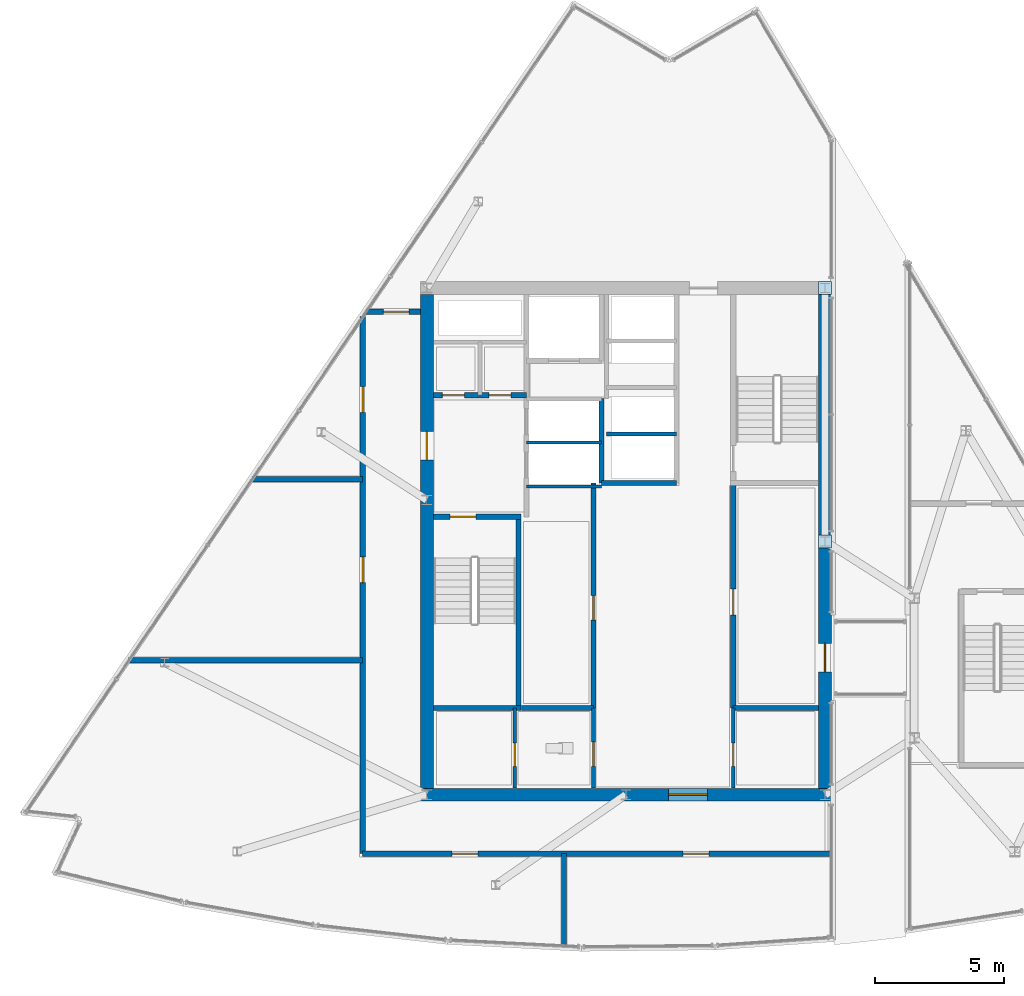
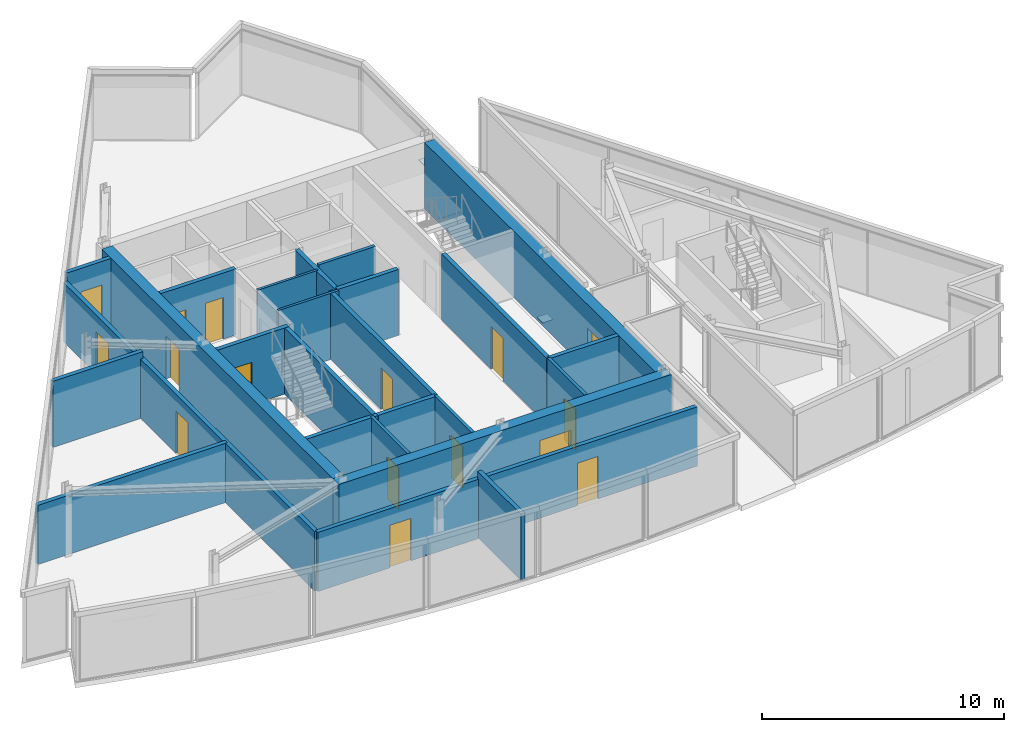
# One storey, part 9 of 15: 25 walls, 16 doors, 2 plates, 16 openings.
"""IFC4 building model written with IfcOpenShell, lengths in metres."""

from ifc_helpers import new_model, si_unit, direction, frame, frame_2d, origin, origin_2d, place, context, subcontext, project, spatial, rectangle, extrude, material, layer, layer_set, type_object, element, fill, save


model = new_model("IFC4")

# Units and contexts
model_context = context("Model", 3, precision=1e-05, world=origin(), true_north=direction((0.0, 1.0)))
body_context = subcontext(model_context, "Body", "Model", "MODEL_VIEW")
ifc_project = project(units=[si_unit("LENGTHUNIT", "METRE"), si_unit("AREAUNIT", "SQUARE_METRE"), si_unit("VOLUMEUNIT", "CUBIC_METRE"), si_unit("PLANEANGLEUNIT", "RADIAN"), si_unit("MASSUNIT", "GRAM", prefix="KILO")], contexts=[model_context])

# Site, building, storey
site_placement = place(None, origin())
site = spatial("IfcSite", under=ifc_project, at=site_placement, CompositionType="ELEMENT")
building_placement = place(site_placement, origin())
building = spatial("IfcBuilding", under=site, at=building_placement, Name="Savorim Split Tower", CompositionType="ELEMENT")
storey_placement = place(building_placement, frame((0.0, 0.0, 297.60009765625)))
storey = spatial("IfcBuildingStorey", under=building, at=storey_placement, Name="Crown L79 Plant", CompositionType="ELEMENT", Elevation=297.60009765625)

# Plates
ifc_material_1 = material(Name="Steel S460", Category="steel")
ifc_layer_1 = layer(ifc_material_1, 0.02490234375)
ifc_layer_set_1 = layer_set([ifc_layer_1], Name="PLT-NODE-CN1")
plate_type = type_object("IfcPlateType", Name="PLT-NODE-CN1", PredefinedType="SHEET", material=ifc_layer_set_1)
for number, where, z_axis, x_axis, name in (
    (1, (7.699951171875, 0.39990234375, 0.137451171875), (0.0, 0.0, 1.0), (1.0, 0.0, 0.0), "Crown L79 Plant Crown Spine Base Gusset Plate CN1"),
    (2, (7.699951171875, 10.199951171875, 2.137451171875), (0.0, 0.0, 1.0), (1.0, 0.0, 0.0), "Crown L79 Plant Crown Spine Top Gusset Plate CN2"),
):
    element("IfcPlate", number, at=place(storey_placement, frame(where, z_axis=z_axis, x_axis=x_axis)), inside=storey, type_object=plate_type, Name=name, PredefinedType="SHEET", context=body_context, shape_type="SweptSolid", body=[
        extrude(rectangle(XDim=0.5, YDim=0.5, at=origin_2d()), origin(), (0.0, 0.0, 1.0), 0.02490234375),
    ])

# Wall, opening, door
ifc_material_2 = material(Name="Concrete C60/75", Category="concrete")
ifc_layer_2 = layer(ifc_material_2, 0.5)
ifc_layer_set_2 = layer_set([ifc_layer_2], Name="WAL-COR-SH500")
wall_type_1 = type_object("IfcWallType", Name="WAL-COR-SH500", PredefinedType="SHEAR", material=ifc_layer_set_2)
wall_1_placement = place(storey_placement, frame((-7.949951171875, -9.39990234375, 0.0), z_axis=(0.0, 0.0, 1.0), x_axis=(1.0, 0.0, 0.0)))
wall_1 = element("IfcWall", 3, at=wall_1_placement, inside=storey, type_object=wall_type_1, Name="Crown L79 Plant Offset Core South Shear Wall", PredefinedType="SHEAR", context=body_context, shape_type="SweptSolid", body=[
    extrude(rectangle(XDim=15.89990234375, YDim=0.5, at=frame_2d((7.949951171875, 0.0))), origin(), (0.0, 0.0, 1.0), 3.33984375),
])
opening_1_placement = place(wall_1_placement, frame((9.60009765625, 0.0, 0.0)))
opening_1 = element("IfcOpeningElement", 4, at=opening_1_placement, cuts=wall_1, Name="Opening DI-02", PredefinedType="OPENING", context=body_context, shape_type="SweptSolid", body=[
    extrude(rectangle(XDim=1.5, YDim=2.199951171875, at=frame_2d((0.75, 1.10009765625))), frame((0.0, 0.260009765625, 0.0), z_axis=(0.0, -1.0, 0.0), x_axis=(1.0, 0.0, 0.0)), (0.0, 0.0, 1.0), 0.52001953125),
])
ifc_material_3 = material(Name="Timber Fire Door Leaf", Category="wood")
door_type_1 = type_object("IfcDoorType", Name="DOR-DBL-1500", OperationType="NOTDEFINED", PredefinedType="DOOR", material=ifc_material_3)
door_1_placement = place(opening_1_placement, origin())
door_1 = element("IfcDoor", 5, at=door_1_placement, inside=storey, type_object=door_type_1, Name="DOR-Crown-L79-Plant-COR-LLOB - Crown L79 Plant Lift Lobby Main Rated Door", OperationType="DOUBLE_DOOR_SINGLE_SWING", OverallHeight=2.199951171875, OverallWidth=1.5, PredefinedType="DOOR", context=body_context, shape_type="SweptSolid", body=[
    extrude(rectangle(XDim=1.5, YDim=2.199951171875, at=frame_2d((0.75, 1.10009765625))), frame((0.0, 0.02490234375, 0.0), z_axis=(0.0, -1.0, 0.0), x_axis=(1.0, 0.0, 0.0)), (0.0, 0.0, 1.0), 0.050048828125),
])
fill(opening_1, door_1)

wall_2_placement = place(storey_placement, frame((-7.699951171875, -9.14990234375, 0.0), z_axis=(0.0, 0.0, 1.0), x_axis=(0.0, 1.0, 0.0)))
wall_2 = element("IfcWall", 6, at=wall_2_placement, inside=storey, type_object=wall_type_1, Name="Crown L79 Plant Offset Core West Shear Wall", PredefinedType="SHEAR", context=body_context, shape_type="SweptSolid", body=[
    extrude(rectangle(XDim=19.099853515625, YDim=0.5, at=frame_2d((9.5498046875, 0.0))), origin(), (0.0, 0.0, 1.0), 3.33984375),
])
opening_2_placement = place(wall_2_placement, frame((12.699951171875, 0.0, 0.0)))
opening_2 = element("IfcOpeningElement", 7, at=opening_2_placement, cuts=wall_2, Name="Opening DI-03", PredefinedType="OPENING", context=body_context, shape_type="SweptSolid", body=[
    extrude(rectangle(XDim=1.10009765625, YDim=2.14990234375, at=frame_2d((0.550048828125, 1.074951171875))), frame((0.0, 0.260009765625, 0.0), z_axis=(0.0, -1.0, 0.0), x_axis=(1.0, 0.0, 0.0)), (0.0, 0.0, 1.0), 0.52001953125),
])
door_type_2 = type_object("IfcDoorType", Name="DOR-FIR-1100", OperationType="NOTDEFINED", PredefinedType="DOOR", material=ifc_material_3)
door_2_placement = place(opening_2_placement, origin())
door_2 = element("IfcDoor", 8, at=door_2_placement, inside=storey, type_object=door_type_2, Name="DOR-Crown-L79-Plant-COR-FFLOB - Crown L79 Plant Firefighting Lobby Corridor Door", OperationType="SINGLE_SWING_LEFT", OverallHeight=2.14990234375, OverallWidth=1.10009765625, PredefinedType="DOOR", context=body_context, shape_type="SweptSolid", body=[
    extrude(rectangle(XDim=1.10009765625, YDim=2.14990234375, at=frame_2d((0.550048828125, 1.074951171875))), frame((0.0, 0.02490234375, 0.0), z_axis=(0.0, -1.0, 0.0), x_axis=(1.0, 0.0, 0.0)), (0.0, 0.0, 1.0), 0.050048828125),
])
fill(opening_2, door_2)

wall_3_placement = place(storey_placement, frame((7.699951171875, 9.949951171875, 0.0), z_axis=(0.0, 0.0, 1.0), x_axis=(0.0, -1.0, 0.0)))
wall_3 = element("IfcWall", 9, at=wall_3_placement, inside=storey, type_object=wall_type_1, Name="Crown L79 Plant Offset Core East Shear Wall", PredefinedType="SHEAR", context=body_context, shape_type="SweptSolid", body=[
    extrude(rectangle(XDim=19.099853515625, YDim=0.5, at=frame_2d((9.5498046875, 0.0))), origin(), (0.0, 0.0, 1.0), 3.33984375),
])
opening_3_placement = place(wall_3_placement, frame((13.5, 0.0, 0.0)))
opening_3 = element("IfcOpeningElement", 10, at=opening_3_placement, cuts=wall_3, Name="Opening DI-03", PredefinedType="OPENING", context=body_context, shape_type="SweptSolid", body=[
    extrude(rectangle(XDim=1.10009765625, YDim=2.14990234375, at=frame_2d((0.550048828125, 1.074951171875))), frame((0.0, 0.260009765625, 0.0), z_axis=(0.0, -1.0, 0.0), x_axis=(1.0, 0.0, 0.0)), (0.0, 0.0, 1.0), 0.52001953125),
])
door_3_placement = place(opening_3_placement, origin())
door_3 = element("IfcDoor", 11, at=door_3_placement, inside=storey, type_object=door_type_2, Name="DOR-Crown-L79-Plant-BRLINK - Crown L79 Link Corridor Fire Door", OperationType="SINGLE_SWING_LEFT", OverallHeight=2.14990234375, OverallWidth=1.10009765625, PredefinedType="DOOR", context=body_context, shape_type="SweptSolid", body=[
    extrude(rectangle(XDim=1.10009765625, YDim=2.14990234375, at=frame_2d((0.550048828125, 1.074951171875))), frame((0.0, 0.02490234375, 0.0), z_axis=(0.0, -1.0, 0.0), x_axis=(1.0, 0.0, 0.0)), (0.0, 0.0, 1.0), 0.050048828125),
])
fill(opening_3, door_3)

ifc_material_4 = material(Name="Concrete C50/60", Category="concrete")
ifc_layer_3 = layer(ifc_material_4, 0.199951171875)
ifc_layer_set_3 = layer_set([ifc_layer_3], Name="WAL-INT-RC200")
wall_type_2 = type_object("IfcWallType", Name="WAL-INT-RC200", PredefinedType="SOLIDWALL", material=ifc_layer_set_3)
wall_4_placement = place(storey_placement, frame((-7.449951171875, 1.35009765625, 0.0), z_axis=(0.0, 0.0, 1.0), x_axis=(1.0, 0.0, 0.0)))
wall_4 = element("IfcWall", 12, at=wall_4_placement, inside=storey, type_object=wall_type_2, Name="Crown L79 Plant Structural Shaft Wall W-Crown-L79-Plant-CR01", PredefinedType="SOLIDWALL", context=body_context, shape_type="SweptSolid", body=[
    extrude(rectangle(XDim=3.39990234375, YDim=0.199951171875, at=frame_2d((1.699951171875, 0.0))), origin(), (0.0, 0.0, 1.0), 3.33984375),
])
opening_4_placement = place(wall_4_placement, frame((0.64990234375, 0.0, 0.0)))
opening_4 = element("IfcOpeningElement", 13, at=opening_4_placement, cuts=wall_4, Name="Opening DI-04", PredefinedType="OPENING", context=body_context, shape_type="SweptSolid", body=[
    extrude(rectangle(XDim=1.0, YDim=2.14990234375, at=frame_2d((0.5, 1.074951171875))), frame((0.0, 0.10986328125, 0.0), z_axis=(0.0, -1.0, 0.0), x_axis=(1.0, 0.0, 0.0)), (0.0, 0.0, 1.0), 0.219970703125),
])
door_type_3 = type_object("IfcDoorType", Name="DOR-FIR-1000", OperationType="NOTDEFINED", PredefinedType="DOOR", material=ifc_material_3)
door_4_placement = place(opening_4_placement, origin())
door_4 = element("IfcDoor", 14, at=door_4_placement, inside=storey, type_object=door_type_3, Name="DR-Crown-L79-Plant-ST1 - Crown L79 Plant Stair ST-1 Enclosure Door", OperationType="SINGLE_SWING_LEFT", OverallHeight=2.14990234375, OverallWidth=1.0, PredefinedType="DOOR", context=body_context, shape_type="SweptSolid", body=[
    extrude(rectangle(XDim=1.0, YDim=2.14990234375, at=frame_2d((0.5, 1.074951171875))), frame((0.0, 0.02490234375, 0.0), z_axis=(0.0, -1.0, 0.0), x_axis=(1.0, 0.0, 0.0)), (0.0, 0.0, 1.0), 0.050048828125),
])
fill(opening_4, door_4)

# Wall
wall_5_placement = place(storey_placement, frame((-4.14990234375, -5.949951171875, 0.0), z_axis=(0.0, 0.0, 1.0), x_axis=(0.0, 1.0, 0.0)))
element("IfcWall", 15, at=wall_5_placement, inside=storey, type_object=wall_type_2, Name="Crown L79 Plant Structural Shaft Wall W-Crown-L79-Plant-CR02", PredefinedType="SOLIDWALL", context=body_context, shape_type="SweptSolid", body=[
    extrude(rectangle(XDim=7.199951171875, YDim=0.199951171875, at=frame_2d((3.60009765625, 0.0))), origin(), (0.0, 0.0, 1.0), 3.33984375),
])

# Wall, openings, doors
wall_6_placement = place(storey_placement, frame((-7.445068359375, 6.050048828125, 0.0), z_axis=(0.0, 0.0, 1.0), x_axis=(1.0, 0.0, 0.0)))
wall_6 = element("IfcWall", 16, at=wall_6_placement, inside=storey, type_object=wall_type_2, Name="Crown L79 Plant Partition W-Crown-L79-Plant-CR04", PredefinedType="SOLIDWALL", context=body_context, shape_type="SweptSolid", body=[
    extrude(rectangle(XDim=3.594970703125, YDim=0.199951171875, at=frame_2d((1.79736328125, 0.0))), origin(), (0.0, 0.0, 1.0), 3.33984375),
])
opening_5_placement = place(wall_6_placement, frame((0.344970703125, 0.0, 0.0)))
opening_5 = element("IfcOpeningElement", 17, at=opening_5_placement, cuts=wall_6, Name="Opening DI-12", PredefinedType="OPENING", context=body_context, shape_type="SweptSolid", body=[
    extrude(rectangle(XDim=0.85009765625, YDim=2.10009765625, at=frame_2d((0.425048828125, 1.050048828125))), frame((0.0, 0.10986328125, 0.0), z_axis=(0.0, -1.0, 0.0), x_axis=(1.0, 0.0, 0.0)), (0.0, 0.0, 1.0), 0.219970703125),
])
opening_6_placement = place(wall_6_placement, frame((2.14501953125, 0.0, 0.0)))
opening_6 = element("IfcOpeningElement", 18, at=opening_6_placement, cuts=wall_6, Name="Opening DI-12", PredefinedType="OPENING", context=body_context, shape_type="SweptSolid", body=[
    extrude(rectangle(XDim=0.85009765625, YDim=2.10009765625, at=frame_2d((0.425048828125, 1.050048828125))), frame((0.0, 0.10986328125, 0.0), z_axis=(0.0, -1.0, 0.0), x_axis=(1.0, 0.0, 0.0)), (0.0, 0.0, 1.0), 0.219970703125),
])
ifc_material_5 = material(Name="Galvanised Painted Steel Balustrade", Category="steel")
door_type_4 = type_object("IfcDoorType", Name="DOR-RIS-850", OperationType="NOTDEFINED", PredefinedType="DOOR", material=ifc_material_5)
door_5_placement = place(opening_5_placement, origin())
door_5 = element("IfcDoor", 19, at=door_5_placement, inside=storey, type_object=door_type_4, Name="DR-Crown-L79-Plant-ELR - Crown L79 Plant Electrical Riser Access Door", OperationType="SINGLE_SWING_RIGHT", OverallHeight=2.10009765625, OverallWidth=0.85009765625, PredefinedType="DOOR", context=body_context, shape_type="SweptSolid", body=[
    extrude(rectangle(XDim=0.85009765625, YDim=2.10009765625, at=frame_2d((0.425048828125, 1.050048828125))), frame((0.0, 0.02490234375, 0.0), z_axis=(0.0, -1.0, 0.0), x_axis=(1.0, 0.0, 0.0)), (0.0, 0.0, 1.0), 0.050048828125),
])
fill(opening_5, door_5)
door_6_placement = place(opening_6_placement, origin())
door_6 = element("IfcDoor", 20, at=door_6_placement, inside=storey, type_object=door_type_4, Name="DR-Crown-L79-Plant-TLR - Crown L79 Plant Telecom Riser Access Door", OperationType="SINGLE_SWING_LEFT", OverallHeight=2.10009765625, OverallWidth=0.85009765625, PredefinedType="DOOR", context=body_context, shape_type="SweptSolid", body=[
    extrude(rectangle(XDim=0.85009765625, YDim=2.10009765625, at=frame_2d((0.425048828125, 1.050048828125))), frame((0.0, 0.02490234375, 0.0), z_axis=(0.0, -1.0, 0.0), x_axis=(1.0, 0.0, 0.0)), (0.0, 0.0, 1.0), 0.050048828125),
])
fill(opening_6, door_6)

# Wall
wall_7_placement = place(storey_placement, frame((-0.949951171875, 2.64990234375, 0.0), z_axis=(0.0, 0.0, 1.0), x_axis=(0.0, 1.0, 0.0)))
element("IfcWall", 21, at=wall_7_placement, inside=storey, type_object=wall_type_2, Name="Crown L79 Plant Partition W-Crown-L79-Plant-FFLW", PredefinedType="SOLIDWALL", context=body_context, shape_type="SweptSolid", body=[
    extrude(rectangle(XDim=3.27001953125, YDim=0.199951171875, at=frame_2d((1.635009765625, 0.0))), origin(), (0.0, 0.0, 1.0), 3.33984375),
])

# Wall, opening, door
wall_8_placement = place(storey_placement, frame((4.14990234375, -6.050048828125, 0.0), z_axis=(0.0, 0.0, 1.0), x_axis=(0.0, 1.0, 0.0)))
wall_8 = element("IfcWall", 22, at=wall_8_placement, inside=storey, type_object=wall_type_2, Name="Crown L79 Plant Partition W-Crown-L79-Plant-B1FRONT", PredefinedType="SOLIDWALL", context=body_context, shape_type="SweptSolid", body=[
    extrude(rectangle(XDim=8.699951171875, YDim=0.199951171875, at=frame_2d((4.35009765625, 0.0))), origin(), (0.0, 0.0, 1.0), 3.33984375),
])
opening_7_placement = place(wall_8_placement, frame((3.60009765625, 0.0, 0.0)))
opening_7 = element("IfcOpeningElement", 23, at=opening_7_placement, cuts=wall_8, Name="Opening DI-04", PredefinedType="OPENING", context=body_context, shape_type="SweptSolid", body=[
    extrude(rectangle(XDim=1.0, YDim=2.14990234375, at=frame_2d((0.5, 1.074951171875))), frame((0.0, 0.10986328125, 0.0), z_axis=(0.0, -1.0, 0.0), x_axis=(1.0, 0.0, 0.0)), (0.0, 0.0, 1.0), 0.219970703125),
])
door_7_placement = place(opening_7_placement, origin())
door_7 = element("IfcDoor", 24, at=door_7_placement, inside=storey, type_object=door_type_3, Name="DR-Crown-L79-Plant-B1SUB - Crown L79 Plant Crown Link Vestibule Door", OperationType="SINGLE_SWING_RIGHT", OverallHeight=2.14990234375, OverallWidth=1.0, PredefinedType="DOOR", context=body_context, shape_type="SweptSolid", body=[
    extrude(rectangle(XDim=1.0, YDim=2.14990234375, at=frame_2d((0.5, 1.074951171875))), frame((0.0, 0.02490234375, 0.0), z_axis=(0.0, -1.0, 0.0), x_axis=(1.0, 0.0, 0.0)), (0.0, 0.0, 1.0), 0.050048828125),
])
fill(opening_7, door_7)

wall_9_placement = place(storey_placement, frame((-1.25, -6.050048828125, 0.0), z_axis=(0.0, 0.0, 1.0), x_axis=(0.0, 1.0, 0.0)))
wall_9 = element("IfcWall", 25, at=wall_9_placement, inside=storey, type_object=wall_type_2, Name="Crown L79 Plant Partition W-Crown-L79-Plant-B2FRONT", PredefinedType="SOLIDWALL", context=body_context, shape_type="SweptSolid", body=[
    extrude(rectangle(XDim=8.699951171875, YDim=0.199951171875, at=frame_2d((4.35009765625, 0.0))), origin(), (0.0, 0.0, 1.0), 3.33984375),
])
opening_8_placement = place(wall_9_placement, frame((3.39990234375, 0.0, 0.0)))
opening_8 = element("IfcOpeningElement", 26, at=opening_8_placement, cuts=wall_9, Name="Opening DI-05", PredefinedType="OPENING", context=body_context, shape_type="SweptSolid", body=[
    extrude(rectangle(XDim=0.949951171875, YDim=2.10009765625, at=frame_2d((0.47509765625, 1.050048828125))), frame((0.0, 0.10986328125, 0.0), z_axis=(0.0, -1.0, 0.0), x_axis=(1.0, 0.0, 0.0)), (0.0, 0.0, 1.0), 0.219970703125),
])
door_type_5 = type_object("IfcDoorType", Name="DOR-FIR-950", OperationType="NOTDEFINED", PredefinedType="DOOR", material=ifc_material_3)
door_8_placement = place(opening_8_placement, origin())
door_8 = element("IfcDoor", 27, at=door_8_placement, inside=storey, type_object=door_type_5, Name="DR-Crown-L79-Plant-B2SUB - Crown L79 Plant Core Store West Door", OperationType="SINGLE_SWING_LEFT", OverallHeight=2.10009765625, OverallWidth=0.949951171875, PredefinedType="DOOR", context=body_context, shape_type="SweptSolid", body=[
    extrude(rectangle(XDim=0.949951171875, YDim=2.10009765625, at=frame_2d((0.47509765625, 1.050048828125))), frame((0.0, 0.02490234375, 0.0), z_axis=(0.0, -1.0, 0.0), x_axis=(1.0, 0.0, 0.0)), (0.0, 0.0, 1.0), 0.050048828125),
])
fill(opening_8, door_8)

# Walls
wall_10_placement = place(storey_placement, frame((-0.949951171875, 2.64990234375, 0.0), z_axis=(0.0, 0.0, 1.0), x_axis=(1.0, 0.0, 0.0)))
element("IfcWall", 28, at=wall_10_placement, inside=storey, type_object=wall_type_2, Name="Crown L79 Plant Partition W-Crown-L79-Plant-B3SOUTH", PredefinedType="SOLIDWALL", context=body_context, shape_type="SweptSolid", body=[
    extrude(rectangle(XDim=2.89990234375, YDim=0.199951171875, at=frame_2d((1.449951171875, 0.0))), origin(), (0.0, 0.0, 1.0), 3.33984375),
])
wall_11_placement = place(storey_placement, frame((-7.449951171875, -6.050048828125, 0.0), z_axis=(0.0, 0.0, 1.0), x_axis=(1.0, 0.0, 0.0)))
element("IfcWall", 29, at=wall_11_placement, inside=storey, type_object=wall_type_2, Name="Crown L79 Plant Structural Shaft Wall W-Crown-L79-Plant-KSEP-W", PredefinedType="SOLIDWALL", context=body_context, shape_type="SweptSolid", body=[
    extrude(rectangle(XDim=3.39990234375, YDim=0.199951171875, at=frame_2d((1.699951171875, 0.0))), origin(), (0.0, 0.0, 1.0), 3.33984375),
])
wall_12_placement = place(storey_placement, frame((-4.0400390625, -6.050048828125, 0.0), z_axis=(0.0, 0.0, 1.0), x_axis=(1.0, 0.0, 0.0)))
element("IfcWall", 30, at=wall_12_placement, inside=storey, type_object=wall_type_2, Name="Crown L79 Plant Partition W-Crown-L79-Plant-KSEP-W2", PredefinedType="SOLIDWALL", context=body_context, shape_type="SweptSolid", body=[
    extrude(rectangle(XDim=2.7900390625, YDim=0.199951171875, at=frame_2d((1.39501953125, 0.0))), origin(), (0.0, 0.0, 1.0), 3.33984375),
])
wall_13_placement = place(storey_placement, frame((4.14990234375, -6.050048828125, 0.0), z_axis=(0.0, 0.0, 1.0), x_axis=(1.0, 0.0, 0.0)))
element("IfcWall", 31, at=wall_13_placement, inside=storey, type_object=wall_type_2, Name="Crown L79 Plant Partition W-Crown-L79-Plant-KSEP-E", PredefinedType="SOLIDWALL", context=body_context, shape_type="SweptSolid", body=[
    extrude(rectangle(XDim=3.295166015625, YDim=0.199951171875, at=frame_2d((1.6474609375, 0.0))), origin(), (0.0, 0.0, 1.0), 3.33984375),
])

# Wall, openings, doors
wall_14_placement = place(storey_placement, frame((-10.179931640625, -11.679931640625, 0.0), z_axis=(0.0, 0.0, 1.0), x_axis=(0.0, 1.0, 0.0)))
wall_14 = element("IfcWall", 32, at=wall_14_placement, inside=storey, type_object=wall_type_2, Name="Crown L79 Plant Partition W-Crown-L79-Plant-CWPC1", PredefinedType="SOLIDWALL", context=body_context, shape_type="SweptSolid", body=[
    extrude(rectangle(XDim=20.780517578125, YDim=0.199951171875, at=frame_2d((10.39013671875, 0.0))), origin(), (0.0, 0.0, 1.0), 2.994873046875),
])
opening_9_placement = place(wall_14_placement, frame((10.47998046875, 0.0, 0.0)))
opening_9 = element("IfcOpeningElement", 33, at=opening_9_placement, cuts=wall_14, Name="Opening DI-04", PredefinedType="OPENING", context=body_context, shape_type="SweptSolid", body=[
    extrude(rectangle(XDim=1.0, YDim=2.14990234375, at=frame_2d((0.5, 1.074951171875))), frame((0.0, 0.10986328125, 0.0), z_axis=(0.0, -1.0, 0.0), x_axis=(1.0, 0.0, 0.0)), (0.0, 0.0, 1.0), 0.219970703125),
])
opening_10_placement = place(wall_14_placement, frame((17.06396484375, 0.0, 0.0)))
opening_10 = element("IfcOpeningElement", 34, at=opening_10_placement, cuts=wall_14, Name="Opening DI-04", PredefinedType="OPENING", context=body_context, shape_type="SweptSolid", body=[
    extrude(rectangle(XDim=1.0, YDim=2.14990234375, at=frame_2d((0.5, 1.074951171875))), frame((0.0, 0.10986328125, 0.0), z_axis=(0.0, -1.0, 0.0), x_axis=(1.0, 0.0, 0.0)), (0.0, 0.0, 1.0), 0.219970703125),
])
door_9_placement = place(opening_9_placement, origin())
door_9 = element("IfcDoor", 35, at=door_9_placement, inside=storey, type_object=door_type_3, Name="DR-Crown-L79-Plant-RM01 - Crown L79 Plant AHU Mechanical Plant Room Entry Door", OperationType="SINGLE_SWING_RIGHT", OverallHeight=2.14990234375, OverallWidth=1.0, PredefinedType="DOOR", context=body_context, shape_type="SweptSolid", body=[
    extrude(rectangle(XDim=1.0, YDim=2.14990234375, at=frame_2d((0.5, 1.074951171875))), frame((0.0, 0.02490234375, 0.0), z_axis=(0.0, -1.0, 0.0), x_axis=(1.0, 0.0, 0.0)), (0.0, 0.0, 1.0), 0.050048828125),
])
fill(opening_9, door_9)
door_10_placement = place(opening_10_placement, origin())
door_10 = element("IfcDoor", 36, at=door_10_placement, inside=storey, type_object=door_type_3, Name="DR-Crown-L79-Plant-RM05 - Crown L79 Plant Heat Recovery Plant Room Entry Door", OperationType="SINGLE_SWING_RIGHT", OverallHeight=2.14990234375, OverallWidth=1.0, PredefinedType="DOOR", context=body_context, shape_type="SweptSolid", body=[
    extrude(rectangle(XDim=1.0, YDim=2.14990234375, at=frame_2d((0.5, 1.074951171875))), frame((0.0, 0.02490234375, 0.0), z_axis=(0.0, -1.0, 0.0), x_axis=(1.0, 0.0, 0.0)), (0.0, 0.0, 1.0), 0.050048828125),
])
fill(opening_10, door_10)

wall_15_placement = place(storey_placement, frame((-10.179931640625, -11.679931640625, 0.0), z_axis=(0.0, 0.0, 1.0), x_axis=(1.0, 0.0, 0.0)))
wall_15 = element("IfcWall", 37, at=wall_15_placement, inside=storey, type_object=wall_type_2, Name="Crown L79 Plant Partition W-Crown-L79-Plant-CWPC2", PredefinedType="SOLIDWALL", context=body_context, shape_type="SweptSolid", body=[
    extrude(rectangle(XDim=18.1298828125, YDim=0.199951171875, at=frame_2d((9.06494140625, 0.0))), origin(), (0.0, 0.0, 1.0), 2.994873046875),
])
opening_11_placement = place(wall_15_placement, frame((3.456298828125, 0.0, 0.0)))
opening_11 = element("IfcOpeningElement", 38, at=opening_11_placement, cuts=wall_15, Name="Opening DI-04", PredefinedType="OPENING", context=body_context, shape_type="SweptSolid", body=[
    extrude(rectangle(XDim=1.0, YDim=2.14990234375, at=frame_2d((0.5, 1.074951171875))), frame((0.0, 0.10986328125, 0.0), z_axis=(0.0, -1.0, 0.0), x_axis=(1.0, 0.0, 0.0)), (0.0, 0.0, 1.0), 0.219970703125),
])
opening_12_placement = place(wall_15_placement, frame((12.388671875, 0.0, 0.0)))
opening_12 = element("IfcOpeningElement", 39, at=opening_12_placement, cuts=wall_15, Name="Opening DI-04", PredefinedType="OPENING", context=body_context, shape_type="SweptSolid", body=[
    extrude(rectangle(XDim=1.0, YDim=2.14990234375, at=frame_2d((0.5, 1.074951171875))), frame((0.0, 0.10986328125, 0.0), z_axis=(0.0, -1.0, 0.0), x_axis=(1.0, 0.0, 0.0)), (0.0, 0.0, 1.0), 0.219970703125),
])
door_11_placement = place(opening_11_placement, origin())
door_11 = element("IfcDoor", 40, at=door_11_placement, inside=storey, type_object=door_type_3, Name="DR-Crown-L79-Plant-RM02 - Crown L79 Plant Chiller Plant Room Entry Door", OperationType="SINGLE_SWING_LEFT", OverallHeight=2.14990234375, OverallWidth=1.0, PredefinedType="DOOR", context=body_context, shape_type="SweptSolid", body=[
    extrude(rectangle(XDim=1.0, YDim=2.14990234375, at=frame_2d((0.5, 1.074951171875))), frame((0.0, 0.02490234375, 0.0), z_axis=(0.0, -1.0, 0.0), x_axis=(1.0, 0.0, 0.0)), (0.0, 0.0, 1.0), 0.050048828125),
])
fill(opening_11, door_11)
door_12_placement = place(opening_12_placement, origin())
door_12 = element("IfcDoor", 41, at=door_12_placement, inside=storey, type_object=door_type_3, Name="DR-Crown-L79-Plant-RM03 - Crown L79 Plant Booster Pump Plant Room Entry Door", OperationType="SINGLE_SWING_RIGHT", OverallHeight=2.14990234375, OverallWidth=1.0, PredefinedType="DOOR", context=body_context, shape_type="SweptSolid", body=[
    extrude(rectangle(XDim=1.0, YDim=2.14990234375, at=frame_2d((0.5, 1.074951171875))), frame((0.0, 0.02490234375, 0.0), z_axis=(0.0, -1.0, 0.0), x_axis=(1.0, 0.0, 0.0)), (0.0, 0.0, 1.0), 0.050048828125),
])
fill(opening_12, door_12)

# Wall, opening, door
wall_16_placement = place(storey_placement, frame((-10.05810546875, 9.280029296875, 0.0), z_axis=(0.0, 0.0, 1.0), x_axis=(1.0, 0.0, 0.0)))
wall_16 = element("IfcWall", 42, at=wall_16_placement, inside=storey, type_object=wall_type_2, Name="Crown L79 Plant Partition W-Crown-L79-Plant-CWPC3", PredefinedType="SOLIDWALL", context=body_context, shape_type="SweptSolid", body=[
    extrude(rectangle(XDim=2.108154296875, YDim=0.199951171875, at=frame_2d((1.05419921875, 0.0))), origin(), (0.0, 0.0, 1.0), 3.33984375),
])
opening_13_placement = place(wall_16_placement, frame((0.678955078125, 0.0, 0.0)))
opening_13 = element("IfcOpeningElement", 43, at=opening_13_placement, cuts=wall_16, Name="Opening DI-04", PredefinedType="OPENING", context=body_context, shape_type="SweptSolid", body=[
    extrude(rectangle(XDim=1.0, YDim=2.14990234375, at=frame_2d((0.5, 1.074951171875))), frame((0.0, 0.10986328125, 0.0), z_axis=(0.0, -1.0, 0.0), x_axis=(1.0, 0.0, 0.0)), (0.0, 0.0, 1.0), 0.219970703125),
])
door_13_placement = place(opening_13_placement, origin())
door_13 = element("IfcDoor", 44, at=door_13_placement, inside=storey, type_object=door_type_3, Name="DR-Crown-L79-Plant-RM04 - Crown L79 Plant Smoke Extract Fan Plant Room Entry Door", OperationType="SINGLE_SWING_LEFT", OverallHeight=2.14990234375, OverallWidth=1.0, PredefinedType="DOOR", context=body_context, shape_type="SweptSolid", body=[
    extrude(rectangle(XDim=1.0, YDim=2.14990234375, at=frame_2d((0.5, 1.074951171875))), frame((0.0, 0.02490234375, 0.0), z_axis=(0.0, -1.0, 0.0), x_axis=(1.0, 0.0, 0.0)), (0.0, 0.0, 1.0), 0.050048828125),
])
fill(opening_13, door_13)

# Walls
wall_17_placement = place(storey_placement, frame((-19.22802734375, -4.199951171875, 0.0), z_axis=(0.0, 0.0, 1.0), x_axis=(1.0, 0.0, 0.0)))
element("IfcWall", 45, at=wall_17_placement, inside=storey, type_object=wall_type_2, Name="Crown L79 Plant Partition W-Crown-L79-Plant-CDIV1", PredefinedType="SOLIDWALL", context=body_context, shape_type="SweptSolid", body=[
    extrude(rectangle(XDim=9.048095703125, YDim=0.199951171875, at=frame_2d((4.52392578125, 0.0))), origin(), (0.0, 0.0, 1.0), 2.994873046875),
])
wall_18_placement = place(storey_placement, frame((-14.46630859375, 2.800048828125, 0.0), z_axis=(0.0, 0.0, 1.0), x_axis=(1.0, 0.0, 0.0)))
element("IfcWall", 46, at=wall_18_placement, inside=storey, type_object=wall_type_2, Name="Crown L79 Plant Partition W-Crown-L79-Plant-CDIV2", PredefinedType="SOLIDWALL", context=body_context, shape_type="SweptSolid", body=[
    extrude(rectangle(XDim=4.286376953125, YDim=0.199951171875, at=frame_2d((2.14306640625, 0.0))), origin(), (0.0, 0.0, 1.0), 3.33984375),
])
wall_19_placement = place(storey_placement, frame((-2.39990234375, -15.273681640625, 0.0), z_axis=(0.0, 0.0, 1.0), x_axis=(0.0, 1.0, 0.0)))
element("IfcWall", 47, at=wall_19_placement, inside=storey, type_object=wall_type_2, Name="Crown L79 Plant Partition W-Crown-L79-Plant-CDIVS", PredefinedType="SOLIDWALL", context=body_context, shape_type="SweptSolid", body=[
    extrude(rectangle(XDim=3.59375, YDim=0.199951171875, at=frame_2d((1.796875, 0.0))), origin(), (0.0, 0.0, 1.0), 3.33984375),
])
ifc_material_6 = material(Name="Acoustic Gypsum Partition Board")
ifc_layer_4 = layer(ifc_material_6, 0.1201171875)
ifc_layer_set_4 = layer_set([ifc_layer_4], Name="WAL-PAR-120")
wall_type_3 = type_object("IfcWallType", Name="WAL-PAR-120", PredefinedType="PARTITIONING", material=ifc_layer_set_4)
for number, where, z_axis, x_axis, name in (
    (48, (-3.85009765625, 2.52001953125, 0.0), (0.0, 0.0, 1.0), (1.0, 0.0, 0.0), "Crown L79 Plant Partition W-Crown-L79-Plant-FFLD0"),
    (49, (-3.85009765625, 4.219970703125, 0.0), (0.0, 0.0, 1.0), (1.0, 0.0, 0.0), "Crown L79 Plant Partition W-Crown-L79-Plant-FFLD1"),
):
    element("IfcWall", number, at=place(storey_placement, frame(where, z_axis=z_axis, x_axis=x_axis)), inside=storey, type_object=wall_type_3, Name=name, PredefinedType="PARTITIONING", context=body_context, shape_type="SweptSolid", body=[
        extrude(rectangle(XDim=2.900146484375, YDim=0.1201171875, at=frame_2d((1.4501953125, 0.0))), origin(), (0.0, 0.0, 1.0), 3.33984375),
    ])
ifc_layer_5 = layer(ifc_material_6, 0.14990234375)
ifc_layer_set_5 = layer_set([ifc_layer_5], Name="WAL-PAR-150")
wall_type_4 = type_object("IfcWallType", Name="WAL-PAR-150", PredefinedType="PARTITIONING", material=ifc_layer_set_5)
wall_20_placement = place(storey_placement, frame((-0.75, 4.550048828125, 0.0), z_axis=(0.0, 0.0, 1.0), x_axis=(1.0, 0.0, 0.0)))
element("IfcWall", 50, at=wall_20_placement, inside=storey, type_object=wall_type_4, Name="Crown L79 Plant Partition W-Crown-L79-Plant-B3DIV1", PredefinedType="PARTITIONING", context=body_context, shape_type="SweptSolid", body=[
    extrude(rectangle(XDim=2.699951171875, YDim=0.14990234375, at=frame_2d((1.35009765625, 0.0))), origin(), (0.0, 0.0, 1.0), 3.33984375),
])

# Wall, opening, door
wall_21_placement = place(storey_placement, frame((-1.25, -9.14501953125, 0.0), z_axis=(0.0, 0.0, 1.0), x_axis=(0.0, 1.0, 0.0)))
wall_21 = element("IfcWall", 51, at=wall_21_placement, inside=storey, type_object=wall_type_4, Name="Crown L79 Plant Partition W-Crown-L79-Plant-KLOB-W", PredefinedType="PARTITIONING", context=body_context, shape_type="SweptSolid", body=[
    extrude(rectangle(XDim=3.094970703125, YDim=0.14990234375, at=frame_2d((1.54736328125, 0.0))), origin(), (0.0, 0.0, 1.0), 3.33984375),
])
opening_14_placement = place(wall_21_placement, frame((0.844970703125, 0.0, 0.0)))
opening_14 = element("IfcOpeningElement", 52, at=opening_14_placement, cuts=wall_21, Name="Opening DI-10", PredefinedType="OPENING", context=body_context, shape_type="SweptSolid", body=[
    extrude(rectangle(XDim=0.949951171875, YDim=2.10009765625, at=frame_2d((0.47509765625, 1.050048828125))), frame((0.0, 0.0849609375, 0.0), z_axis=(0.0, -1.0, 0.0), x_axis=(1.0, 0.0, 0.0)), (0.0, 0.0, 1.0), 0.169921875),
])
ifc_material_7 = material(Name="Oak Veneer Acoustic Door")
door_type_6 = type_object("IfcDoorType", Name="DOR-WC-950", OperationType="NOTDEFINED", PredefinedType="DOOR", material=ifc_material_7)
door_14_placement = place(opening_14_placement, origin())
door_14 = element("IfcDoor", 53, at=door_14_placement, inside=storey, type_object=door_type_6, Name="DR-Crown-L79-Plant-K1WC - Crown L79 Plant Core Accessible WC Door", OperationType="SINGLE_SWING_LEFT", OverallHeight=2.10009765625, OverallWidth=0.949951171875, PredefinedType="DOOR", context=body_context, shape_type="SweptSolid", body=[
    extrude(rectangle(XDim=0.949951171875, YDim=2.10009765625, at=frame_2d((0.47509765625, 1.050048828125))), frame((0.0, 0.02490234375, 0.0), z_axis=(0.0, -1.0, 0.0), x_axis=(1.0, 0.0, 0.0)), (0.0, 0.0, 1.0), 0.050048828125),
])
fill(opening_14, door_14)

wall_22_placement = place(storey_placement, frame((4.14990234375, -9.14501953125, 0.0), z_axis=(0.0, 0.0, 1.0), x_axis=(0.0, 1.0, 0.0)))
wall_22 = element("IfcWall", 54, at=wall_22_placement, inside=storey, type_object=wall_type_4, Name="Crown L79 Plant Partition W-Crown-L79-Plant-KLOB-E", PredefinedType="PARTITIONING", context=body_context, shape_type="SweptSolid", body=[
    extrude(rectangle(XDim=3.094970703125, YDim=0.14990234375, at=frame_2d((1.54736328125, 0.0))), origin(), (0.0, 0.0, 1.0), 3.33984375),
])
opening_15_placement = place(wall_22_placement, frame((0.844970703125, 0.0, 0.0)))
opening_15 = element("IfcOpeningElement", 55, at=opening_15_placement, cuts=wall_22, Name="Opening DI-06", PredefinedType="OPENING", context=body_context, shape_type="SweptSolid", body=[
    extrude(rectangle(XDim=0.89990234375, YDim=2.10009765625, at=frame_2d((0.449951171875, 1.050048828125))), frame((0.0, 0.0849609375, 0.0), z_axis=(0.0, -1.0, 0.0), x_axis=(1.0, 0.0, 0.0)), (0.0, 0.0, 1.0), 0.169921875),
])
door_type_7 = type_object("IfcDoorType", Name="DOR-FIR-900", OperationType="NOTDEFINED", PredefinedType="DOOR", material=ifc_material_3)
door_15_placement = place(opening_15_placement, origin())
door_15 = element("IfcDoor", 56, at=door_15_placement, inside=storey, type_object=door_type_7, Name="DR-Crown-L79-Plant-K1IT - Crown L79 Plant Core IT Room Door", OperationType="SINGLE_SWING_LEFT", OverallHeight=2.10009765625, OverallWidth=0.89990234375, PredefinedType="DOOR", context=body_context, shape_type="SweptSolid", body=[
    extrude(rectangle(XDim=0.89990234375, YDim=2.10009765625, at=frame_2d((0.449951171875, 1.050048828125))), frame((0.0, 0.02490234375, 0.0), z_axis=(0.0, -1.0, 0.0), x_axis=(1.0, 0.0, 0.0)), (0.0, 0.0, 1.0), 0.050048828125),
])
fill(opening_15, door_15)

wall_23_placement = place(storey_placement, frame((-4.300048828125, -9.14501953125, 0.0), z_axis=(0.0, 0.0, 1.0), x_axis=(0.0, 1.0, 0.0)))
wall_23 = element("IfcWall", 57, at=wall_23_placement, inside=storey, type_object=wall_type_4, Name="Crown L79 Plant Partition W-Crown-L79-Plant-K1W", PredefinedType="PARTITIONING", context=body_context, shape_type="SweptSolid", body=[
    extrude(rectangle(XDim=3.094970703125, YDim=0.14990234375, at=frame_2d((1.54736328125, 0.0))), origin(), (0.0, 0.0, 1.0), 3.33984375),
])
opening_16_placement = place(wall_23_placement, frame((0.844970703125, 0.0, 0.0)))
opening_16 = element("IfcOpeningElement", 58, at=opening_16_placement, cuts=wall_23, Name="Opening DI-06", PredefinedType="OPENING", context=body_context, shape_type="SweptSolid", body=[
    extrude(rectangle(XDim=0.89990234375, YDim=2.10009765625, at=frame_2d((0.449951171875, 1.050048828125))), frame((0.0, 0.0849609375, 0.0), z_axis=(0.0, -1.0, 0.0), x_axis=(1.0, 0.0, 0.0)), (0.0, 0.0, 1.0), 0.169921875),
])
door_16_placement = place(opening_16_placement, origin())
door_16 = element("IfcDoor", 59, at=door_16_placement, inside=storey, type_object=door_type_7, Name="DR-Crown-L79-Plant-K1HK - Crown L79 Plant Housekeeping Store Door", OperationType="SINGLE_SWING_RIGHT", OverallHeight=2.10009765625, OverallWidth=0.89990234375, PredefinedType="DOOR", context=body_context, shape_type="SweptSolid", body=[
    extrude(rectangle(XDim=0.89990234375, YDim=2.10009765625, at=frame_2d((0.449951171875, 1.050048828125))), frame((0.0, 0.02490234375, 0.0), z_axis=(0.0, -1.0, 0.0), x_axis=(1.0, 0.0, 0.0)), (0.0, 0.0, 1.0), 0.050048828125),
])
fill(opening_16, door_16)

save(model, "model.ifc")
